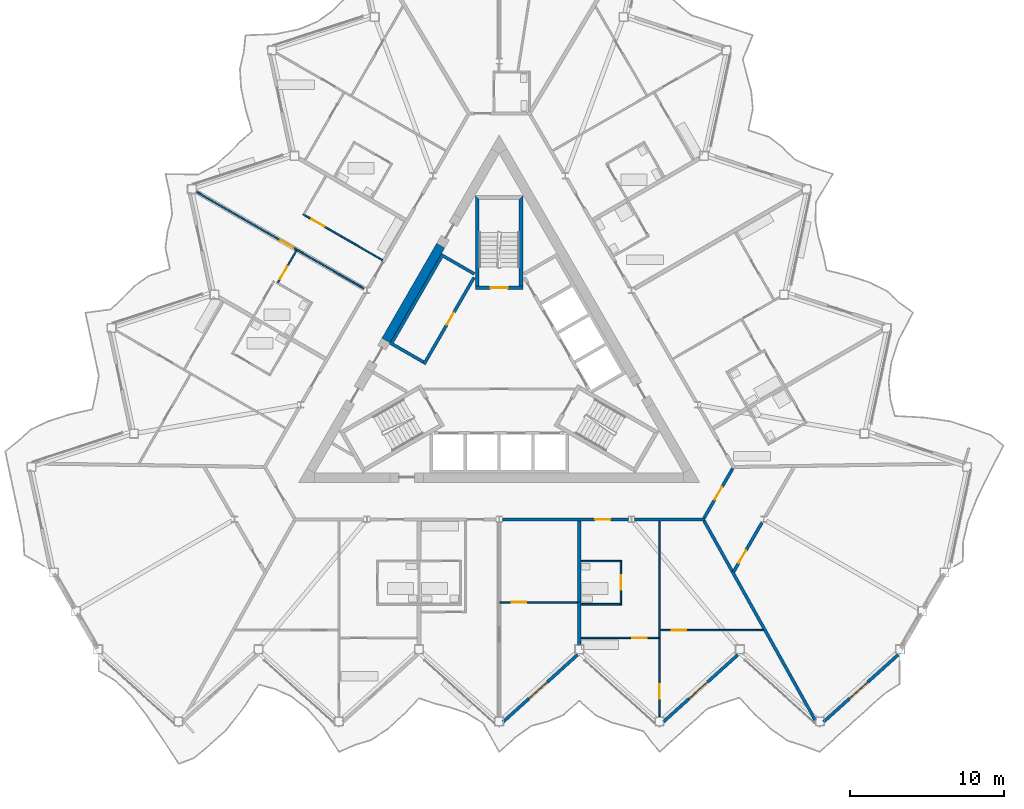
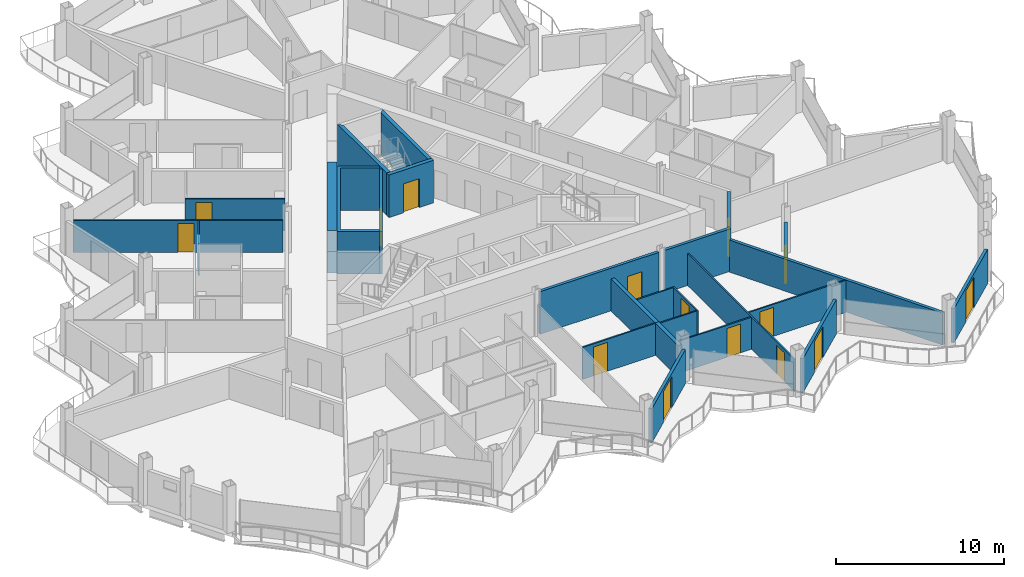
# One storey, part 15 of 26: 26 walls, 16 doors, 16 openings.
"""IFC4 building model written with IfcOpenShell, lengths in metres."""

from ifc_helpers import new_model, si_unit, direction, frame, frame_2d, origin, place, context, subcontext, project, spatial, polyline, rectangle, outline, extrude, material, layer, layer_set, type_object, element, fill, save


model = new_model("IFC4")

# Units and contexts
model_context = context("Model", 3, precision=1e-05, world=origin(), true_north=direction((0.0, 1.0)))
body_context = subcontext(model_context, "Body", "Model", "MODEL_VIEW")
ifc_project = project(units=[si_unit("LENGTHUNIT", "METRE"), si_unit("AREAUNIT", "SQUARE_METRE"), si_unit("VOLUMEUNIT", "CUBIC_METRE"), si_unit("PLANEANGLEUNIT", "RADIAN"), si_unit("MASSUNIT", "GRAM", prefix="KILO")], contexts=[model_context])

# Site, building, storey
site_placement = place(None, origin())
site = spatial("IfcSite", under=ifc_project, at=site_placement, CompositionType="ELEMENT")
building_placement = place(site_placement, origin())
building = spatial("IfcBuilding", under=site, at=building_placement, Name="Cormorant Prow Tower", CompositionType="ELEMENT")
storey_placement = place(building_placement, frame((0.0, 0.0, 322.199951171875)))
storey = spatial("IfcBuildingStorey", under=building, at=storey_placement, Name="L71", CompositionType="ELEMENT", Elevation=322.199951171875)

# Wall
ifc_material_1 = material(Name="Concrete 8000 psi", Category="concrete")
ifc_layer_1 = layer(ifc_material_1, 0.60009765625)
ifc_layer_set_1 = layer_set([ifc_layer_1], Name="Concrete 8000 psi")
wall_type_1 = type_object("IfcWallType", Name="Core shear wall 600", PredefinedType="SHEAR", material=ifc_layer_set_1)
wall_1_placement = place(storey_placement, frame((-3.794189453125, 7.839599609375, 0.0), z_axis=(0.0, 0.0, 1.0), x_axis=(-0.499974747889, -0.866039982607, 0.0)))
element("IfcWall", 1, at=wall_1_placement, inside=storey, type_object=wall_type_1, Name="Core wall", PredefinedType="SHEAR", context=body_context, shape_type="SweptSolid", body=[
    extrude(rectangle(XDim=7.092041015625, YDim=0.60009765625, at=frame_2d((3.5458984375, 0.0))), origin(), (0.0, 0.0, 1.0), 3.10009765625),
])

# Wall, opening, door
ifc_material_2 = material(Name="Gypsum board corridor wall")
ifc_layer_2 = layer(ifc_material_2, 0.199951171875)
ifc_layer_set_2 = layer_set([ifc_layer_2], Name="Gypsum board corridor wall")
wall_type_2 = type_object("IfcWallType", Name="Corridor wall 200", PredefinedType="PARTITIONING", material=ifc_layer_set_2)
wall_2_placement = place(storey_placement, frame((0.207763671875, -9.905517578125, 0.0), z_axis=(0.0, 0.0, 1.0), x_axis=(1.0, 0.0, 0.0)))
wall_2 = element("IfcWall", 2, at=wall_2_placement, inside=storey, type_object=wall_type_2, Name="Corridor wall", PredefinedType="PARTITIONING", context=body_context, shape_type="SweptSolid", body=[
    extrude(rectangle(XDim=8.1630859375, YDim=0.199951171875, at=frame_2d((4.08154296875, 0.0))), origin(), (0.0, 0.0, 1.0), 3.10009765625),
])
opening_1_placement = place(wall_2_placement, frame((6.00439453125, 0.0, 0.0)))
opening_1 = element("IfcOpeningElement", 3, at=opening_1_placement, cuts=wall_2, Name="Opening L71-F11", PredefinedType="OPENING", context=body_context, shape_type="SweptSolid", body=[
    extrude(rectangle(XDim=1.0, YDim=2.10009765625, at=frame_2d((0.5, 1.050048828125))), frame((0.0, 0.10986328125, 0.0), z_axis=(0.0, -1.0, 0.0), x_axis=(1.0, 0.0, 0.0)), (0.0, 0.0, 1.0), 0.219970703125),
])
ifc_material_3 = material(Name="Timber door leaf", Category="wood")
door_type_1 = type_object("IfcDoorType", Name="Flat or room entrance door 1000x2100", OperationType="NOTDEFINED", PredefinedType="DOOR", material=ifc_material_3)
door_1_placement = place(opening_1_placement, origin())
door_1 = element("IfcDoor", 4, at=door_1_placement, inside=storey, type_object=door_type_1, Name="Living room door", OperationType="SINGLE_SWING_LEFT", OverallHeight=2.10009765625, OverallWidth=1.0, PredefinedType="DOOR", context=body_context, shape_type="SweptSolid", body=[
    extrude(rectangle(XDim=1.0, YDim=2.10009765625, at=frame_2d((0.5, 1.050048828125))), frame((0.0, 0.02490234375, 0.0), z_axis=(0.0, -1.0, 0.0), x_axis=(1.0, 0.0, 0.0)), (0.0, 0.0, 1.0), 0.050048828125),
])
fill(opening_1, door_1)

# Wall
wall_3_placement = place(storey_placement, frame((8.7861328125, -9.905517578125, 0.0), z_axis=(0.0, 0.0, 1.0), x_axis=(1.0, 0.0, 0.0)))
element("IfcWall", 5, at=wall_3_placement, inside=storey, type_object=wall_type_2, Name="Corridor wall", PredefinedType="PARTITIONING", context=body_context, shape_type="SweptSolid", body=[
    extrude(rectangle(XDim=4.544677734375, YDim=0.199951171875, at=frame_2d((2.2724609375, 0.0))), origin(), (0.0, 0.0, 1.0), 3.10009765625),
])

# Wall, opening, door
wall_4_placement = place(storey_placement, frame((13.281005859375, -9.819091796875, 0.0), z_axis=(0.0, 0.0, 1.0), x_axis=(0.499958791762, 0.866049194065, 0.0)))
wall_4 = element("IfcWall", 6, at=wall_4_placement, inside=storey, type_object=wall_type_2, Name="Corridor wall", PredefinedType="PARTITIONING", context=body_context, shape_type="SweptSolid", body=[
    extrude(rectangle(XDim=3.725830078125, YDim=0.199951171875, at=frame_2d((1.86279296875, 0.0))), origin(), (0.0, 0.0, 1.0), 3.10009765625),
])
opening_2_placement = place(wall_4_placement, frame((1.387939453125, 0.0, 0.0)))
opening_2 = element("IfcOpeningElement", 7, at=opening_2_placement, cuts=wall_4, Name="Opening L71-F16", PredefinedType="OPENING", context=body_context, shape_type="SweptSolid", body=[
    extrude(rectangle(XDim=0.949951171875, YDim=2.10009765625, at=frame_2d((0.47509765625, 1.050048828125))), frame((0.0, 0.10986328125, 0.0), z_axis=(0.0, -1.0, 0.0), x_axis=(1.0, 0.0, 0.0)), (0.0, 0.0, 1.0), 0.219970703125),
])
ifc_material_4 = material(Name="Timber door leaf", Category="wood")
door_type_2 = type_object("IfcDoorType", Name="Store door 950x2100", OperationType="NOTDEFINED", PredefinedType="DOOR", material=ifc_material_4)
door_2_placement = place(opening_2_placement, origin())
door_2 = element("IfcDoor", 8, at=door_2_placement, inside=storey, type_object=door_type_2, Name="Refuse room door", OperationType="SINGLE_SWING_RIGHT", OverallHeight=2.10009765625, OverallWidth=0.949951171875, PredefinedType="DOOR", context=body_context, shape_type="SweptSolid", body=[
    extrude(rectangle(XDim=0.949951171875, YDim=2.10009765625, at=frame_2d((0.47509765625, 1.050048828125))), frame((0.0, 0.02490234375, 0.0), z_axis=(0.0, -1.0, 0.0), x_axis=(1.0, 0.0, 0.0)), (0.0, 0.0, 1.0), 0.050048828125),
])
fill(opening_2, door_2)

# Wall
ifc_material_5 = material(Name="Gypsum board demising wall")
ifc_layer_3 = layer(ifc_material_5, 0.199951171875)
ifc_layer_set_3 = layer_set([ifc_layer_3], Name="Gypsum board demising wall")
wall_type_3 = type_object("IfcWallType", Name="Demising wall 200", PredefinedType="PARTITIONING", material=ifc_layer_set_3)
wall_5_placement = place(storey_placement, frame((13.279541015625, -9.992919921875, 0.0), z_axis=(0.0, 0.0, 1.0), x_axis=(0.486918292843, -0.873447523378, 0.0)))
element("IfcWall", 9, at=wall_5_placement, inside=storey, type_object=wall_type_3, Name="Demising wall", PredefinedType="PARTITIONING", context=body_context, shape_type="SweptSolid", body=[
    extrude(rectangle(XDim=14.80078125, YDim=0.199951171875, at=frame_2d((7.400390625, 0.0))), origin(), (0.0, 0.0, 1.0), 2.330078125),
])

# Wall, opening, door
wall_6_placement = place(storey_placement, frame((15.19384765625, -13.3056640625, 0.0), z_axis=(0.0, 0.0, 1.0), x_axis=(0.50002820729, 0.866009117685, 0.0)))
wall_6 = element("IfcWall", 10, at=wall_6_placement, inside=storey, type_object=wall_type_3, Name="Demising wall", PredefinedType="PARTITIONING", context=body_context, shape_type="SweptSolid", body=[
    extrude(rectangle(XDim=3.686279296875, YDim=0.199951171875, at=frame_2d((1.84326171875, 0.0))), origin(), (0.0, 0.0, 1.0), 2.330078125),
])
opening_3_placement = place(wall_6_placement, frame((0.656494140625, 0.0, 0.0)))
opening_3 = element("IfcOpeningElement", 11, at=opening_3_placement, cuts=wall_6, Name="Opening L71-F17", PredefinedType="OPENING", context=body_context, shape_type="SweptSolid", body=[
    extrude(rectangle(XDim=0.949951171875, YDim=2.10009765625, at=frame_2d((0.47509765625, 1.050048828125))), frame((0.0, 0.10986328125, 0.0), z_axis=(0.0, -1.0, 0.0), x_axis=(1.0, 0.0, 0.0)), (0.0, 0.0, 1.0), 0.219970703125),
])
door_3_placement = place(opening_3_placement, origin())
door_3 = element("IfcDoor", 12, at=door_3_placement, inside=storey, type_object=door_type_2, Name="Bicycle store door", OperationType="SINGLE_SWING_LEFT", OverallHeight=2.10009765625, OverallWidth=0.949951171875, PredefinedType="DOOR", context=body_context, shape_type="SweptSolid", body=[
    extrude(rectangle(XDim=0.949951171875, YDim=2.10009765625, at=frame_2d((0.47509765625, 1.050048828125))), frame((0.0, 0.02490234375, 0.0), z_axis=(0.0, -1.0, 0.0), x_axis=(1.0, 0.0, 0.0)), (0.0, 0.0, 1.0), 0.050048828125),
])
fill(opening_3, door_3)

ifc_material_6 = material(Name="Gypsum board partition")
ifc_layer_4 = layer(ifc_material_6, 0.10009765625)
ifc_layer_set_4 = layer_set([ifc_layer_4], Name="Gypsum board partition")
wall_type_4 = type_object("IfcWallType", Name="Internal partition 100", PredefinedType="PARTITIONING", material=ifc_layer_set_4)
wall_7_placement = place(storey_placement, frame((10.389404296875, -22.697998046875, 0.0), z_axis=(0.0, 0.0, 1.0), x_axis=(0.0, 1.0, 0.0)))
wall_7 = element("IfcWall", 13, at=wall_7_placement, inside=storey, type_object=wall_type_4, Name="Internal partition", PredefinedType="PARTITIONING", context=body_context, shape_type="SweptSolid", body=[
    extrude(rectangle(XDim=12.6923828125, YDim=0.10009765625, at=frame_2d((6.34619140625, 0.0))), origin(), (0.0, 0.0, 1.0), 2.330078125),
])
opening_4_placement = place(wall_7_placement, frame((1.1533203125, 0.0, 0.0)))
opening_4 = element("IfcOpeningElement", 14, at=opening_4_placement, cuts=wall_7, Name="Opening L71-F14", PredefinedType="OPENING", context=body_context, shape_type="SweptSolid", body=[
    extrude(rectangle(XDim=0.949951171875, YDim=2.10009765625, at=frame_2d((0.47509765625, 1.050048828125))), frame((0.0, 0.06005859375, 0.0), z_axis=(0.0, -1.0, 0.0), x_axis=(1.0, 0.0, 0.0)), (0.0, 0.0, 1.0), 0.1201171875),
])
ifc_material_7 = material(Name="Timber door leaf", Category="wood")
door_type_3 = type_object("IfcDoorType", Name="Bathroom door 950x2100", OperationType="NOTDEFINED", PredefinedType="DOOR", material=ifc_material_7)
door_4_placement = place(opening_4_placement, origin())
door_4 = element("IfcDoor", 15, at=door_4_placement, inside=storey, type_object=door_type_3, Name="Kitchen door", OperationType="SINGLE_SWING_RIGHT", OverallHeight=2.10009765625, OverallWidth=0.949951171875, PredefinedType="DOOR", context=body_context, shape_type="SweptSolid", body=[
    extrude(rectangle(XDim=0.949951171875, YDim=2.10009765625, at=frame_2d((0.47509765625, 1.050048828125))), frame((0.0, 0.02490234375, 0.0), z_axis=(0.0, -1.0, 0.0), x_axis=(1.0, 0.0, 0.0)), (0.0, 0.0, 1.0), 0.050048828125),
])
fill(opening_4, door_4)

wall_8_placement = place(storey_placement, frame((-19.615478515625, 11.3251953125, 0.0), z_axis=(0.0, 0.0, 1.0), x_axis=(0.86602139559, -0.500006942333, 0.0)))
wall_8 = element("IfcWall", 16, at=wall_8_placement, inside=storey, type_object=wall_type_4, Name="Internal partition", PredefinedType="PARTITIONING", context=body_context, shape_type="SweptSolid", body=[
    extrude(rectangle(XDim=12.504638671875, YDim=0.10009765625, at=frame_2d((6.25244140625, 0.0))), origin(), (0.0, 0.0, 1.0), 2.330078125),
])
opening_5_placement = place(wall_8_placement, frame((6.27978515625, 0.0, 0.0)))
opening_5 = element("IfcOpeningElement", 17, at=opening_5_placement, cuts=wall_8, Name="Opening L71-F46", PredefinedType="OPENING", context=body_context, shape_type="SweptSolid", body=[
    extrude(rectangle(XDim=0.949951171875, YDim=2.10009765625, at=frame_2d((0.47509765625, 1.050048828125))), frame((0.0, 0.06005859375, 0.0), z_axis=(0.0, -1.0, 0.0), x_axis=(1.0, 0.0, 0.0)), (0.0, 0.0, 1.0), 0.1201171875),
])
door_5_placement = place(opening_5_placement, origin())
door_5 = element("IfcDoor", 18, at=door_5_placement, inside=storey, type_object=door_type_3, Name="Living room door", OperationType="SINGLE_SWING_RIGHT", OverallHeight=2.10009765625, OverallWidth=0.949951171875, PredefinedType="DOOR", context=body_context, shape_type="SweptSolid", body=[
    extrude(rectangle(XDim=0.949951171875, YDim=2.10009765625, at=frame_2d((0.47509765625, 1.050048828125))), frame((0.0, 0.02490234375, 0.0), z_axis=(0.0, -1.0, 0.0), x_axis=(1.0, 0.0, 0.0)), (0.0, 0.0, 1.0), 0.050048828125),
])
fill(opening_5, door_5)

wall_9_placement = place(storey_placement, frame((10.439453125, -17.083740234375, 0.0), z_axis=(0.0, 0.0, 1.0), x_axis=(1.0, 0.0, 0.0)))
wall_9 = element("IfcWall", 19, at=wall_9_placement, inside=storey, type_object=wall_type_4, Name="Internal partition", PredefinedType="PARTITIONING", context=body_context, shape_type="SweptSolid", body=[
    extrude(rectangle(XDim=6.69287109375, YDim=0.10009765625, at=frame_2d((3.346435546875, 0.0))), origin(), (0.0, 0.0, 1.0), 2.330078125),
])
opening_6_placement = place(wall_9_placement, frame((0.754150390625, 0.0, 0.0)))
opening_6 = element("IfcOpeningElement", 20, at=opening_6_placement, cuts=wall_9, Name="Opening L71-F15", PredefinedType="OPENING", context=body_context, shape_type="SweptSolid", body=[
    extrude(rectangle(XDim=0.949951171875, YDim=2.10009765625, at=frame_2d((0.47509765625, 1.050048828125))), frame((0.0, 0.06005859375, 0.0), z_axis=(0.0, -1.0, 0.0), x_axis=(1.0, 0.0, 0.0)), (0.0, 0.0, 1.0), 0.1201171875),
])
door_6_placement = place(opening_6_placement, origin())
door_6 = element("IfcDoor", 21, at=door_6_placement, inside=storey, type_object=door_type_3, Name="Bedroom door", OperationType="SINGLE_SWING_LEFT", OverallHeight=2.10009765625, OverallWidth=0.949951171875, PredefinedType="DOOR", context=body_context, shape_type="SweptSolid", body=[
    extrude(rectangle(XDim=0.949951171875, YDim=2.10009765625, at=frame_2d((0.47509765625, 1.050048828125))), frame((0.0, 0.02490234375, 0.0), z_axis=(0.0, -1.0, 0.0), x_axis=(1.0, 0.0, 0.0)), (0.0, 0.0, 1.0), 0.050048828125),
])
fill(opening_6, door_6)

wall_10_placement = place(storey_placement, frame((-12.720703125, 9.87841796875, 0.0), z_axis=(0.0, 0.0, 1.0), x_axis=(0.866027751316, -0.499995933934, 0.0)))
wall_10 = element("IfcWall", 22, at=wall_10_placement, inside=storey, type_object=wall_type_4, Name="Internal partition", PredefinedType="PARTITIONING", context=body_context, shape_type="SweptSolid", body=[
    extrude(rectangle(XDim=5.9501953125, YDim=0.10009765625, at=frame_2d((2.97509765625, 0.0))), origin(), (0.0, 0.0, 1.0), 2.330078125),
])
opening_7_placement = place(wall_10_placement, frame((0.64990234375, 0.0, 0.0)))
opening_7 = element("IfcOpeningElement", 23, at=opening_7_placement, cuts=wall_10, Name="Opening L71-F45", PredefinedType="OPENING", context=body_context, shape_type="SweptSolid", body=[
    extrude(rectangle(XDim=0.949951171875, YDim=2.10009765625, at=frame_2d((0.47509765625, 1.050048828125))), frame((0.0, 0.06005859375, 0.0), z_axis=(0.0, -1.0, 0.0), x_axis=(1.0, 0.0, 0.0)), (0.0, 0.0, 1.0), 0.1201171875),
])
door_7_placement = place(opening_7_placement, origin())
door_7 = element("IfcDoor", 24, at=door_7_placement, inside=storey, type_object=door_type_3, Name="Living room door", OperationType="SINGLE_SWING_LEFT", OverallHeight=2.10009765625, OverallWidth=0.949951171875, PredefinedType="DOOR", context=body_context, shape_type="SweptSolid", body=[
    extrude(rectangle(XDim=0.949951171875, YDim=2.10009765625, at=frame_2d((0.47509765625, 1.050048828125))), frame((0.0, 0.02490234375, 0.0), z_axis=(0.0, -1.0, 0.0), x_axis=(1.0, 0.0, 0.0)), (0.0, 0.0, 1.0), 0.050048828125),
])
fill(opening_7, door_7)

wall_11_placement = place(storey_placement, frame((5.319580078125, -17.591796875, 0.0), z_axis=(0.0, 0.0, 1.0), x_axis=(1.0, 0.0, 0.0)))
wall_11 = element("IfcWall", 25, at=wall_11_placement, inside=storey, type_object=wall_type_4, Name="Internal partition", PredefinedType="PARTITIONING", context=body_context, shape_type="SweptSolid", body=[
    extrude(rectangle(XDim=5.019775390625, YDim=0.10009765625, at=frame_2d((2.509765625, 0.0))), origin(), (0.0, 0.0, 1.0), 2.330078125),
])
opening_8_placement = place(wall_11_placement, frame((3.309814453125, 0.0, 0.0)))
opening_8 = element("IfcOpeningElement", 26, at=opening_8_placement, cuts=wall_11, Name="Opening L71-F13", PredefinedType="OPENING", context=body_context, shape_type="SweptSolid", body=[
    extrude(rectangle(XDim=0.949951171875, YDim=2.10009765625, at=frame_2d((0.47509765625, 1.050048828125))), frame((0.0, 0.06005859375, 0.0), z_axis=(0.0, -1.0, 0.0), x_axis=(1.0, 0.0, 0.0)), (0.0, 0.0, 1.0), 0.1201171875),
])
door_8_placement = place(opening_8_placement, origin())
door_8 = element("IfcDoor", 27, at=door_8_placement, inside=storey, type_object=door_type_3, Name="Living room door", OperationType="SINGLE_SWING_RIGHT", OverallHeight=2.10009765625, OverallWidth=0.949951171875, PredefinedType="DOOR", context=body_context, shape_type="SweptSolid", body=[
    extrude(rectangle(XDim=0.949951171875, YDim=2.10009765625, at=frame_2d((0.47509765625, 1.050048828125))), frame((0.0, 0.02490234375, 0.0), z_axis=(0.0, -1.0, 0.0), x_axis=(1.0, 0.0, 0.0)), (0.0, 0.0, 1.0), 0.050048828125),
])
fill(opening_8, door_8)

wall_12_placement = place(storey_placement, frame((0.050048828125, -15.28173828125, 0.0), z_axis=(0.0, 0.0, 1.0), x_axis=(1.0, 0.0, 0.0)))
wall_12 = element("IfcWall", 28, at=wall_12_placement, inside=storey, type_object=wall_type_4, Name="Internal partition", PredefinedType="PARTITIONING", context=body_context, shape_type="SweptSolid", body=[
    extrude(rectangle(XDim=5.01953125, YDim=0.10009765625, at=frame_2d((2.509765625, 0.0))), origin(), (0.0, 0.0, 1.0), 2.330078125),
])
opening_9_placement = place(wall_12_placement, frame((0.760009765625, 0.0, 0.0)))
opening_9 = element("IfcOpeningElement", 29, at=opening_9_placement, cuts=wall_12, Name="Opening L71-F09", PredefinedType="OPENING", context=body_context, shape_type="SweptSolid", body=[
    extrude(rectangle(XDim=0.949951171875, YDim=2.10009765625, at=frame_2d((0.47509765625, 1.050048828125))), frame((0.0, 0.06005859375, 0.0), z_axis=(0.0, -1.0, 0.0), x_axis=(1.0, 0.0, 0.0)), (0.0, 0.0, 1.0), 0.1201171875),
])
door_9_placement = place(opening_9_placement, origin())
door_9 = element("IfcDoor", 30, at=door_9_placement, inside=storey, type_object=door_type_3, Name="Bedroom door", OperationType="SINGLE_SWING_LEFT", OverallHeight=2.10009765625, OverallWidth=0.949951171875, PredefinedType="DOOR", context=body_context, shape_type="SweptSolid", body=[
    extrude(rectangle(XDim=0.949951171875, YDim=2.10009765625, at=frame_2d((0.47509765625, 1.050048828125))), frame((0.0, 0.02490234375, 0.0), z_axis=(0.0, -1.0, 0.0), x_axis=(1.0, 0.0, 0.0)), (0.0, 0.0, 1.0), 0.050048828125),
])
fill(opening_9, door_9)

wall_13_placement = place(storey_placement, frame((7.894775390625, -15.45556640625, 0.0), z_axis=(0.0, 0.0, 1.0), x_axis=(0.0, 1.0, 0.0)))
wall_13 = element("IfcWall", 31, at=wall_13_placement, inside=storey, type_object=wall_type_4, Name="Internal partition", PredefinedType="PARTITIONING", context=body_context, shape_type="SweptSolid", body=[
    extrude(rectangle(XDim=2.89990234375, YDim=0.10009765625, at=frame_2d((1.449951171875, 0.0))), origin(), (0.0, 0.0, 1.0), 2.330078125),
])
opening_10_placement = place(wall_13_placement, frame((0.97509765625, 0.0, 0.0)))
opening_10 = element("IfcOpeningElement", 32, at=opening_10_placement, cuts=wall_13, Name="Opening L71-F12", PredefinedType="OPENING", context=body_context, shape_type="SweptSolid", body=[
    extrude(rectangle(XDim=0.949951171875, YDim=2.10009765625, at=frame_2d((0.47509765625, 1.050048828125))), frame((0.0, 0.06005859375, 0.0), z_axis=(0.0, -1.0, 0.0), x_axis=(1.0, 0.0, 0.0)), (0.0, 0.0, 1.0), 0.1201171875),
])
door_10_placement = place(opening_10_placement, origin())
door_10 = element("IfcDoor", 33, at=door_10_placement, inside=storey, type_object=door_type_3, Name="Living room door", OperationType="SINGLE_SWING_LEFT", OverallHeight=2.10009765625, OverallWidth=0.949951171875, PredefinedType="DOOR", context=body_context, shape_type="SweptSolid", body=[
    extrude(rectangle(XDim=0.949951171875, YDim=2.10009765625, at=frame_2d((0.47509765625, 1.050048828125))), frame((0.0, 0.02490234375, 0.0), z_axis=(0.0, -1.0, 0.0), x_axis=(1.0, 0.0, 0.0)), (0.0, 0.0, 1.0), 0.050048828125),
])
fill(opening_10, door_10)

# Walls
for number, where, z_axis, x_axis, name in (
    (34, (5.319580078125, -12.605712890625, 0.0), (0.0, 0.0, 1.0), (1.0, 0.0, 0.0), "Internal partition"),
    (35, (5.319580078125, -15.405517578125, 0.0), (0.0, 0.0, 1.0), (1.0, 0.0, 0.0), "Internal partition"),
):
    element("IfcWall", number, at=place(storey_placement, frame(where, z_axis=z_axis, x_axis=x_axis)), inside=storey, type_object=wall_type_4, Name=name, PredefinedType="PARTITIONING", context=body_context, shape_type="SweptSolid", body=[
        extrude(rectangle(XDim=2.525146484375, YDim=0.10009765625, at=frame_2d((1.2626953125, 0.0))), origin(), (0.0, 0.0, 1.0), 2.330078125),
    ])

# Wall, opening, door
wall_14_placement = place(storey_placement, frame((-14.340576171875, 5.45654296875, 0.0), z_axis=(0.0, 0.0, 1.0), x_axis=(0.499954846121, 0.866051471819, 0.0)))
wall_14 = element("IfcWall", 36, at=wall_14_placement, inside=storey, type_object=wall_type_4, Name="Internal partition", PredefinedType="PARTITIONING", context=body_context, shape_type="SweptSolid", body=[
    extrude(rectangle(XDim=2.394775390625, YDim=0.10009765625, at=frame_2d((1.197265625, 0.0))), origin(), (0.0, 0.0, 1.0), 2.330078125),
])
opening_11_placement = place(wall_14_placement, frame((0.25, 0.0, 0.0)))
opening_11 = element("IfcOpeningElement", 37, at=opening_11_placement, cuts=wall_14, Name="Opening L71-F47", PredefinedType="OPENING", context=body_context, shape_type="SweptSolid", body=[
    extrude(rectangle(XDim=0.949951171875, YDim=2.10009765625, at=frame_2d((0.47509765625, 1.050048828125))), frame((0.0, 0.06005859375, 0.0), z_axis=(0.0, -1.0, 0.0), x_axis=(1.0, 0.0, 0.0)), (0.0, 0.0, 1.0), 0.1201171875),
])
door_11_placement = place(opening_11_placement, origin())
door_11 = element("IfcDoor", 38, at=door_11_placement, inside=storey, type_object=door_type_3, Name="Bedroom door", OperationType="SINGLE_SWING_LEFT", OverallHeight=2.10009765625, OverallWidth=0.949951171875, PredefinedType="DOOR", context=body_context, shape_type="SweptSolid", body=[
    extrude(rectangle(XDim=0.949951171875, YDim=2.10009765625, at=frame_2d((0.47509765625, 1.050048828125))), frame((0.0, 0.02490234375, 0.0), z_axis=(0.0, -1.0, 0.0), x_axis=(1.0, 0.0, 0.0)), (0.0, 0.0, 1.0), 0.050048828125),
])
fill(opening_11, door_11)

ifc_material_8 = material(Name="Concrete 5000 psi", Category="concrete")
ifc_layer_5 = layer(ifc_material_8, 0.199951171875)
ifc_layer_set_5 = layer_set([ifc_layer_5], Name="Concrete 5000 psi")
wall_type_5 = type_object("IfcWallType", Name="Lift lobby wall 200", PredefinedType="SOLIDWALL", material=ifc_layer_set_5)
wall_15_placement = place(storey_placement, frame((-1.630615234375, 5.775634765625, 0.0), z_axis=(0.0, 0.0, 1.0), x_axis=(-0.499992876559, -0.866029516466, 0.0)))
wall_15 = element("IfcWall", 39, at=wall_15_placement, inside=storey, type_object=wall_type_5, Name="Lift lobby wall, WNW block", PredefinedType="SOLIDWALL", context=body_context, shape_type="SweptSolid", body=[
    extrude(rectangle(XDim=6.486328125, YDim=0.199951171875, at=frame_2d((3.2431640625, 0.0))), origin(), (0.0, 0.0, 1.0), 3.10009765625),
])
opening_12_placement = place(wall_15_placement, frame((2.63671875, 0.0, 0.0)))
opening_12 = element("IfcOpeningElement", 40, at=opening_12_placement, cuts=wall_15, Name="Opening L71-C09", PredefinedType="OPENING", context=body_context, shape_type="SweptSolid", body=[
    extrude(rectangle(XDim=0.89990234375, YDim=2.10009765625, at=frame_2d((0.449951171875, 1.050048828125))), frame((0.0, 0.10986328125, 0.0), z_axis=(0.0, -1.0, 0.0), x_axis=(1.0, 0.0, 0.0)), (0.0, 0.0, 1.0), 0.219970703125),
])
ifc_material_9 = material(Name="Painted steel", Category="steel")
door_type_4 = type_object("IfcDoorType", Name="Service door 900x2100", OperationType="NOTDEFINED", PredefinedType="DOOR", material=ifc_material_9)
door_12_placement = place(opening_12_placement, origin())
door_12 = element("IfcDoor", 41, at=door_12_placement, inside=storey, type_object=door_type_4, Name="Service door, Pantry store", OperationType="SINGLE_SWING_RIGHT", OverallHeight=2.10009765625, OverallWidth=0.89990234375, PredefinedType="DOOR", context=body_context, shape_type="SweptSolid", body=[
    extrude(rectangle(XDim=0.89990234375, YDim=2.10009765625, at=frame_2d((0.449951171875, 1.050048828125))), frame((0.0, 0.02490234375, 0.0), z_axis=(0.0, -1.0, 0.0), x_axis=(1.0, 0.0, 0.0)), (0.0, 0.0, 1.0), 0.050048828125),
])
fill(opening_12, door_12)

# Walls
ifc_material_10 = material(Name="Concrete 8000 psi", Category="concrete")
ifc_layer_6 = layer(ifc_material_10, 0.199951171875)
ifc_layer_set_6 = layer_set([ifc_layer_6], Name="Concrete 8000 psi")
wall_type_6 = type_object("IfcWallType", Name="Lift shaft wall 200", PredefinedType="SHEAR", material=ifc_layer_set_6)
wall_16_placement = place(storey_placement, origin())
element("IfcWall", 42, at=wall_16_placement, inside=storey, type_object=wall_type_6, Name="Lift shaft walls, WNW block", PredefinedType="SHEAR", context=body_context, shape_type="SweptSolid", body=[
    extrude(outline(polyline([(-4.96044921875, 0.2080078125), (-7.130859375, 1.461181640625), (-3.730712890625, 7.35009765625), (-1.560546875, 6.09716796875), (-1.660400390625, 5.923828125), (-3.65234375, 7.073974609375), (-6.852294921875, 1.53125), (-4.860595703125, 0.38134765625), (-4.96044921875, 0.2080078125)])), origin(), (0.0, 0.0, 1.0), 3.10009765625),
])
ifc_material_11 = material(Name="Concrete 8000 psi", Category="concrete")
ifc_layer_7 = layer(ifc_material_11, 0.25)
ifc_layer_set_7 = layer_set([ifc_layer_7], Name="Concrete 8000 psi")
wall_type_7 = type_object("IfcWallType", Name="Stair wall 250", PredefinedType="SHEAR", material=ifc_layer_set_7)
wall_17_placement = place(storey_placement, origin())
element("IfcWall", 43, at=wall_17_placement, inside=storey, type_object=wall_type_7, Name="Stair ST3 enclosure wall (flank)", PredefinedType="SHEAR", context=body_context, shape_type="SweptSolid", body=[
    extrude(outline(polyline([(1.5439453125, 5.23681640625), (1.5439453125, 11.0869140625), (1.2939453125, 10.8369140625), (1.2939453125, 5.23681640625), (1.5439453125, 5.23681640625)])), origin(), (0.0, 0.0, 1.0), 3.10009765625),
])
wall_18_placement = place(storey_placement, origin())
element("IfcWall", 44, at=wall_18_placement, inside=storey, type_object=wall_type_7, Name="Stair ST3 enclosure wall (flank)", PredefinedType="SHEAR", context=body_context, shape_type="SweptSolid", body=[
    extrude(outline(polyline([(-1.2939453125, 10.8369140625), (-1.5439453125, 11.0869140625), (-1.5439453125, 5.23681640625), (-1.2939453125, 5.23681640625), (-1.2939453125, 10.8369140625)])), origin(), (0.0, 0.0, 1.0), 3.10009765625),
])

# Wall, opening, door
wall_19_placement = place(storey_placement, frame((1.5439453125, 5.11181640625, 0.0), z_axis=(0.0, 0.0, 1.0), x_axis=(-1.0, 0.0, 0.0)))
wall_19 = element("IfcWall", 45, at=wall_19_placement, inside=storey, type_object=wall_type_7, Name="Stair ST3 door wall", PredefinedType="SHEAR", context=body_context, shape_type="SweptSolid", body=[
    extrude(rectangle(XDim=3.087890625, YDim=0.25, at=frame_2d((1.5439453125, 0.0))), origin(), (0.0, 0.0, 1.0), 3.10009765625),
])
opening_13_placement = place(wall_19_placement, frame((0.993896484375, 0.0, 0.0)))
opening_13 = element("IfcOpeningElement", 46, at=opening_13_placement, cuts=wall_19, Name="Opening L71-C13", PredefinedType="OPENING", context=body_context, shape_type="SweptSolid", body=[
    extrude(rectangle(XDim=1.10009765625, YDim=2.10009765625, at=frame_2d((0.550048828125, 1.050048828125))), frame((0.0, 0.135009765625, 0.0), z_axis=(0.0, -1.0, 0.0), x_axis=(1.0, 0.0, 0.0)), (0.0, 0.0, 1.0), 0.27001953125),
])
ifc_material_12 = material(Name="Painted steel", Category="steel")
door_type_5 = type_object("IfcDoorType", Name="Stair door 1100x2100", OperationType="NOTDEFINED", PredefinedType="DOOR", material=ifc_material_12)
door_13_placement = place(opening_13_placement, origin())
door_13 = element("IfcDoor", 47, at=door_13_placement, inside=storey, type_object=door_type_5, Name="Stair ST3 door", OperationType="SINGLE_SWING_RIGHT", OverallHeight=2.10009765625, OverallWidth=1.10009765625, PredefinedType="DOOR", context=body_context, shape_type="SweptSolid", body=[
    extrude(rectangle(XDim=1.10009765625, YDim=2.10009765625, at=frame_2d((0.550048828125, 1.050048828125))), frame((0.0, 0.02490234375, 0.0), z_axis=(0.0, -1.0, 0.0), x_axis=(1.0, 0.0, 0.0)), (0.0, 0.0, 1.0), 0.050048828125),
])
fill(opening_13, door_13)

# Walls
ifc_material_13 = material(Name="Acoustic gypsum party wall")
ifc_layer_8 = layer(ifc_material_13, 0.25)
ifc_layer_set_8 = layer_set([ifc_layer_8], Name="Acoustic gypsum party wall")
wall_type_8 = type_object("IfcWallType", Name="Suite party wall 250", PredefinedType="PARTITIONING", material=ifc_layer_set_8)
wall_20_placement = place(storey_placement, frame((5.194580078125, -15.40673828125, 0.0), z_axis=(0.0, 0.0, 1.0), x_axis=(0.0, 1.0, 0.0)))
element("IfcWall", 48, at=wall_20_placement, inside=storey, type_object=wall_type_8, Name="Suite party wall", PredefinedType="PARTITIONING", context=body_context, shape_type="SweptSolid", body=[
    extrude(rectangle(XDim=5.401123046875, YDim=0.25, at=frame_2d((2.70068359375, 0.0))), origin(), (0.0, 0.0, 1.0), 2.330078125),
])
wall_21_placement = place(storey_placement, frame((5.194580078125, -18.016845703125, 0.0), z_axis=(0.0, 0.0, 1.0), x_axis=(0.0, 1.0, 0.0)))
element("IfcWall", 49, at=wall_21_placement, inside=storey, type_object=wall_type_8, Name="Suite party wall", PredefinedType="PARTITIONING", context=body_context, shape_type="SweptSolid", body=[
    extrude(rectangle(XDim=2.746337890625, YDim=0.25, at=frame_2d((1.373046875, 0.0))), origin(), (0.0, 0.0, 1.0), 2.330078125),
])

# Wall, opening, door
ifc_material_14 = material(Name="Terracotta", Category="masonry")
ifc_layer_9 = layer(ifc_material_14, 0.199951171875)
ifc_layer_set_9 = layer_set([ifc_layer_9], Name="Terracotta")
wall_type_9 = type_object("IfcWallType", Name="Terracotta jamb wall 200", PredefinedType="SOLIDWALL", material=ifc_layer_set_9)
wall_22_placement = place(storey_placement, frame((0.255615234375, -23.03076171875, 0.0), z_axis=(0.0, 0.0, 1.0), x_axis=(0.743138937876, 0.669137145145, 0.0)))
wall_22 = element("IfcWall", 50, at=wall_22_placement, inside=storey, type_object=wall_type_9, Name="Terracotta jamb wall S05", PredefinedType="SOLIDWALL", context=body_context, shape_type="SweptSolid", body=[
    extrude(rectangle(XDim=6.49267578125, YDim=0.199951171875, at=frame_2d((3.246337890625, 0.0))), origin(), (0.0, 0.0, 1.0), 2.488037109375),
])
opening_14_placement = place(wall_22_placement, frame((2.260986328125, 0.0, 0.0)))
opening_14 = element("IfcOpeningElement", 51, at=opening_14_placement, cuts=wall_22, Name="Opening ED71.03", PredefinedType="OPENING", context=body_context, shape_type="SweptSolid", body=[
    extrude(rectangle(XDim=1.60009765625, YDim=2.25, at=frame_2d((0.800048828125, 1.125))), frame((0.0, 0.10986328125, 0.0), z_axis=(0.0, -1.0, 0.0), x_axis=(1.0, 0.0, 0.0)), (0.0, 0.0, 1.0), 0.219970703125),
])
ifc_material_15 = material(Name="Aluminium 6063-T6", Category="aluminium")
door_type_6 = type_object("IfcDoorType", Name="Balcony door 1600x2250", OperationType="DOUBLE_DOOR_SINGLE_SWING", PredefinedType="DOOR", material=ifc_material_15)
door_14_placement = place(opening_14_placement, origin())
door_14 = element("IfcDoor", 52, at=door_14_placement, inside=storey, type_object=door_type_6, Name="Balcony door S05 ED71.03", OperationType="DOUBLE_DOOR_SINGLE_SWING", OverallHeight=2.25, OverallWidth=1.60009765625, PredefinedType="DOOR", context=body_context, shape_type="SweptSolid", body=[
    extrude(rectangle(XDim=1.60009765625, YDim=2.25, at=frame_2d((0.800048828125, 1.125))), frame((0.0, 0.02490234375, 0.0), z_axis=(0.0, -1.0, 0.0), x_axis=(1.0, 0.0, 0.0)), (0.0, 0.0, 1.0), 0.050048828125),
])
fill(opening_14, door_14)

wall_23_placement = place(storey_placement, frame((10.64501953125, -23.03076171875, 0.0), z_axis=(0.0, 0.0, 1.0), x_axis=(0.743138937876, 0.669137145145, 0.0)))
wall_23 = element("IfcWall", 53, at=wall_23_placement, inside=storey, type_object=wall_type_9, Name="Terracotta jamb wall S07", PredefinedType="SOLIDWALL", context=body_context, shape_type="SweptSolid", body=[
    extrude(rectangle(XDim=6.49267578125, YDim=0.199951171875, at=frame_2d((3.246337890625, 0.0))), origin(), (0.0, 0.0, 1.0), 2.488037109375),
])
opening_15_placement = place(wall_23_placement, frame((2.260986328125, 0.0, 0.0)))
opening_15 = element("IfcOpeningElement", 54, at=opening_15_placement, cuts=wall_23, Name="Opening ED71.04", PredefinedType="OPENING", context=body_context, shape_type="SweptSolid", body=[
    extrude(rectangle(XDim=1.60009765625, YDim=2.25, at=frame_2d((0.800048828125, 1.125))), frame((0.0, 0.10986328125, 0.0), z_axis=(0.0, -1.0, 0.0), x_axis=(1.0, 0.0, 0.0)), (0.0, 0.0, 1.0), 0.219970703125),
])
door_15_placement = place(opening_15_placement, origin())
door_15 = element("IfcDoor", 55, at=door_15_placement, inside=storey, type_object=door_type_6, Name="Balcony door S07 ED71.04", OperationType="DOUBLE_DOOR_SINGLE_SWING", OverallHeight=2.25, OverallWidth=1.60009765625, PredefinedType="DOOR", context=body_context, shape_type="SweptSolid", body=[
    extrude(rectangle(XDim=1.60009765625, YDim=2.25, at=frame_2d((0.800048828125, 1.125))), frame((0.0, 0.02490234375, 0.0), z_axis=(0.0, -1.0, 0.0), x_axis=(1.0, 0.0, 0.0)), (0.0, 0.0, 1.0), 0.050048828125),
])
fill(opening_15, door_15)

wall_24_placement = place(storey_placement, frame((21.034423828125, -23.03076171875, 0.0), z_axis=(0.0, 0.0, 1.0), x_axis=(0.743138937876, 0.669137145145, 0.0)))
wall_24 = element("IfcWall", 56, at=wall_24_placement, inside=storey, type_object=wall_type_9, Name="Terracotta jamb wall S09", PredefinedType="SOLIDWALL", context=body_context, shape_type="SweptSolid", body=[
    extrude(rectangle(XDim=6.49267578125, YDim=0.199951171875, at=frame_2d((3.246337890625, 0.0))), origin(), (0.0, 0.0, 1.0), 2.488037109375),
])
opening_16_placement = place(wall_24_placement, frame((2.260986328125, 0.0, 0.0)))
opening_16 = element("IfcOpeningElement", 57, at=opening_16_placement, cuts=wall_24, Name="Opening ED71.05", PredefinedType="OPENING", context=body_context, shape_type="SweptSolid", body=[
    extrude(rectangle(XDim=1.60009765625, YDim=2.25, at=frame_2d((0.800048828125, 1.125))), frame((0.0, 0.10986328125, 0.0), z_axis=(0.0, -1.0, 0.0), x_axis=(1.0, 0.0, 0.0)), (0.0, 0.0, 1.0), 0.219970703125),
])
door_16_placement = place(opening_16_placement, origin())
door_16 = element("IfcDoor", 58, at=door_16_placement, inside=storey, type_object=door_type_6, Name="Balcony door S09 ED71.05", OperationType="DOUBLE_DOOR_SINGLE_SWING", OverallHeight=2.25, OverallWidth=1.60009765625, PredefinedType="DOOR", context=body_context, shape_type="SweptSolid", body=[
    extrude(rectangle(XDim=1.60009765625, YDim=2.25, at=frame_2d((0.800048828125, 1.125))), frame((0.0, 0.02490234375, 0.0), z_axis=(0.0, -1.0, 0.0), x_axis=(1.0, 0.0, 0.0)), (0.0, 0.0, 1.0), 0.050048828125),
])
fill(opening_16, door_16)

save(model, "model.ifc")
